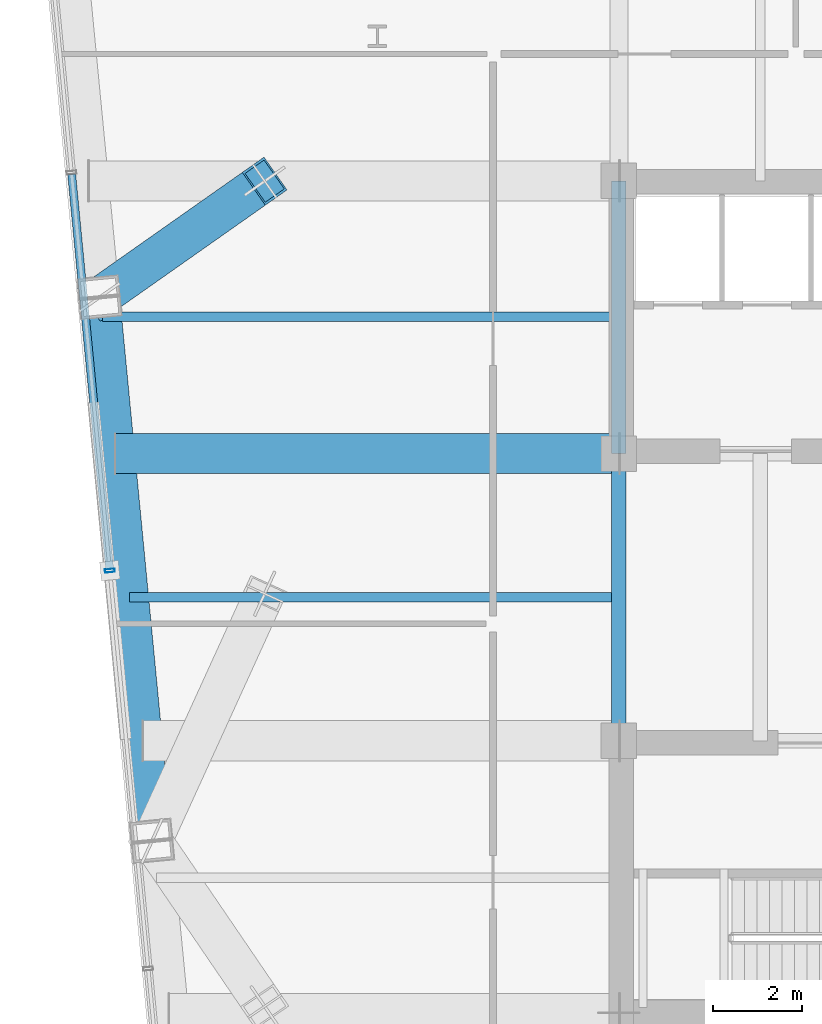
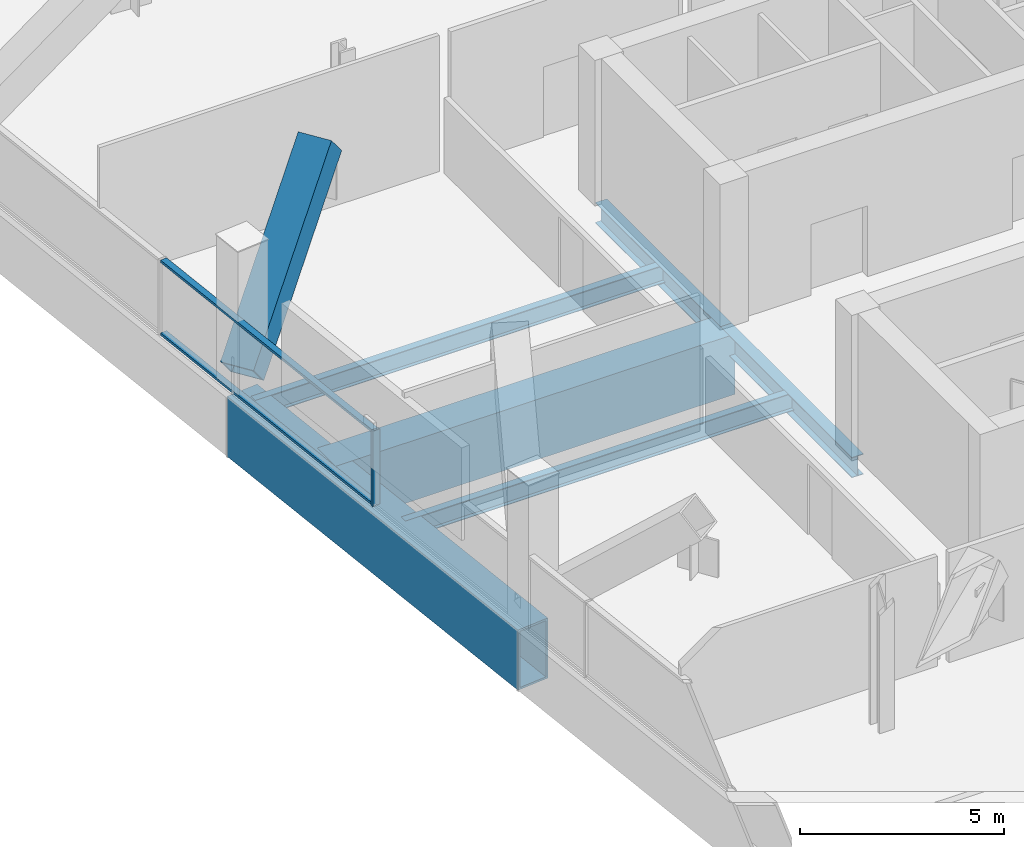
# One storey, part 7 of 30: 6 beams, 4 members, 1 element without a shape of its own.
"""IFC4 building model written with IfcOpenShell, lengths in metres."""

from ifc_helpers import new_model, si_unit, direction, frame, origin, origin_2d, place, context, subcontext, project, spatial, hollow_rectangle, i_section, extrude, material, layer, layer_set, material_profile, profile_set, type_object, element, aggregate, save


model = new_model("IFC4")

# Units and contexts
model_context = context("Model", 3, precision=1e-05, world=origin(), true_north=direction((0.0, 1.0)))
body_context = subcontext(model_context, "Body", "Model", "MODEL_VIEW")
ifc_project = project(units=[si_unit("LENGTHUNIT", "METRE"), si_unit("AREAUNIT", "SQUARE_METRE"), si_unit("VOLUMEUNIT", "CUBIC_METRE"), si_unit("PLANEANGLEUNIT", "RADIAN"), si_unit("MASSUNIT", "GRAM", prefix="KILO")], contexts=[model_context])

# Site, building, storey
site_placement = place(None, origin())
site = spatial("IfcSite", under=ifc_project, at=site_placement, CompositionType="ELEMENT")
building_placement = place(site_placement, origin())
building = spatial("IfcBuilding", under=site, at=building_placement, Name="Qhalaya Broadcast Tower", CompositionType="ELEMENT")
storey_placement = place(building_placement, frame((0.0, 0.0, 96.89990234375)))
storey = spatial("IfcBuildingStorey", under=building, at=storey_placement, Name="L28", CompositionType="ELEMENT", Elevation=96.89990234375)

# Beams
ifc_material_1 = material(Name="Structural Steel ASTM A572 Grade 50", Category="steel")
ifc_material_profile_1 = material_profile(ifc_material_1, hollow_rectangle(XDim=0.89990234375, YDim=1.800048828125, WallThickness=0.06005859375, at=origin_2d()), Name="BOX 900x1800x60")
ifc_profile_set_1 = profile_set([ifc_material_profile_1], Name="Structural Steel ASTM A572 Grade 50")
beam_type_1 = type_object("IfcBeamType", Name="Block Cantilever Transfer Box Girder TG1", PredefinedType="USERDEFINED", material=ifc_profile_set_1)
beam_1_placement = place(storey_placement, frame((-21.036865234375, 7.335205078125, -1.119873046875), z_axis=(0.095851586307, -0.99539563662, 0.0), x_axis=(0.99539563662, 0.095851586307, 0.0)))
element("IfcBeam", 1, at=beam_1_placement, inside=storey, type_object=beam_type_1, Name="L28 TG1 L28-SPR-14", ObjectType="GIRDER", PredefinedType="USERDEFINED", context=body_context, shape_type="SweptSolid", body=[
    extrude(hollow_rectangle(XDim=0.89990234375, YDim=1.800048828125, WallThickness=0.06005859375, at=origin_2d()), origin(), (0.0, 0.0, 1.0), 12.2666015625),
])
beam_2_placement = place(storey_placement, frame((-20.6787109375, 3.824951171875, -1.119873046875), z_axis=(1.0, 0.0, 0.0), x_axis=(0.0, 1.0, 0.0)))
element("IfcBeam", 2, at=beam_2_placement, inside=storey, type_object=beam_type_1, Name="L28 TG1 L28-PGYW3-1", ObjectType="GIRDER", PredefinedType="USERDEFINED", context=body_context, shape_type="SweptSolid", body=[
    extrude(hollow_rectangle(XDim=0.89990234375, YDim=1.800048828125, WallThickness=0.06005859375, at=origin_2d()), origin(), (0.0, 0.0, 1.0), 11.3037109375),
])
ifc_material_2 = material(Name="Structural Steel ASTM A992 Grade 50", Category="steel")
ifc_material_profile_2 = material_profile(ifc_material_2, i_section(OverallWidth=0.2099609375, OverallDepth=0.535888671875, WebThickness=0.010986328125, FlangeThickness=0.017333984375, at=origin_2d()), Name="W21X68")
ifc_profile_set_2 = profile_set([ifc_material_profile_2], Name="Structural Steel ASTM A992 Grade 50")
beam_type_2 = type_object("IfcBeamType", Name="Composite Floor Joist J02", PredefinedType="JOIST", material=ifc_profile_set_2)
beam_3_placement = place(storey_placement, frame((-20.368408203125, 0.60009765625, -0.48779296875), z_axis=(1.0, 0.0, 0.0), x_axis=(0.0, 1.0, 0.0)))
element("IfcBeam", 3, at=beam_3_placement, inside=storey, type_object=beam_type_2, Name="L28 J02 L28-JWE4W-1", PredefinedType="JOIST", context=body_context, shape_type="SweptSolid", body=[
    extrude(i_section(OverallWidth=0.2099609375, OverallDepth=0.535888671875, WebThickness=0.010986328125, FlangeThickness=0.017333984375, at=origin_2d()), origin(), (0.0, 0.0, 1.0), 10.993408203125),
])
beam_4_placement = place(storey_placement, frame((-20.974853515625, 6.89990234375, -0.48779296875), z_axis=(1.0, 0.0, 0.0), x_axis=(0.0, 1.0, 0.0)))
element("IfcBeam", 4, at=beam_4_placement, inside=storey, type_object=beam_type_2, Name="L28 J02 L28-JWE5W-1", PredefinedType="JOIST", context=body_context, shape_type="SweptSolid", body=[
    extrude(i_section(OverallWidth=0.2099609375, OverallDepth=0.535888671875, WebThickness=0.010986328125, FlangeThickness=0.017333984375, at=origin_2d()), origin(), (0.0, 0.0, 1.0), 11.599853515625),
])
ifc_material_profile_3 = material_profile(ifc_material_2, i_section(OverallWidth=0.323974609375, OverallDepth=0.612060546875, WebThickness=0.0126953125, FlangeThickness=0.01904296875, at=origin_2d()), Name="W24X104")
ifc_profile_set_3 = profile_set([ifc_material_profile_3], Name="Structural Steel ASTM A992 Grade 50")
beam_type_3 = type_object("IfcBeamType", Name="Core Frame Tie Beam B04", PredefinedType="BEAM", material=ifc_profile_set_3)
beam_5_placement = place(storey_placement, frame((-9.375, 3.824951171875, -0.52587890625), z_axis=(0.0, 1.0, 0.0), x_axis=(-1.0, 0.0, 0.0)))
element("IfcBeam", 5, at=beam_5_placement, inside=storey, type_object=beam_type_3, Name="L28 B04 L28-CCN2", PredefinedType="BEAM", context=body_context, shape_type="SweptSolid", body=[
    extrude(i_section(OverallWidth=0.323974609375, OverallDepth=0.612060546875, WebThickness=0.0126953125, FlangeThickness=0.01904296875, at=origin_2d()), origin(), (0.0, 0.0, 1.0), 6.125),
])
beam_6_placement = place(storey_placement, frame((-9.375, -2.625, -0.52587890625), z_axis=(0.0, 1.0, 0.0), x_axis=(-1.0, 0.0, 0.0)))
element("IfcBeam", 6, at=beam_6_placement, inside=storey, type_object=beam_type_3, Name="L28 B04 L28-CCW", PredefinedType="BEAM", context=body_context, shape_type="SweptSolid", body=[
    extrude(i_section(OverallWidth=0.323974609375, OverallDepth=0.612060546875, WebThickness=0.0126953125, FlangeThickness=0.01904296875, at=origin_2d()), origin(), (0.0, 0.0, 1.0), 6.449951171875),
])

# Member
ifc_material_profile_4 = material_profile(ifc_material_1, hollow_rectangle(XDim=0.89990234375, YDim=0.89990234375, WallThickness=0.054931640625, at=origin_2d()), Name="BOX 900x900x55")
ifc_profile_set_4 = profile_set([ifc_material_profile_4], Name="Structural Steel ASTM A572 Grade 50")
member_type_1 = type_object("IfcMemberType", Name="Heavy Exoskeleton Transfer Strut RK1", PredefinedType="BRACE", material=ifc_profile_set_4)
member_1_placement = place(storey_placement, frame((-21.036865234375, 7.335205078125, 0.347412109375), z_axis=(0.61301262863, 0.431325423938, 0.661947049094), x_axis=(-0.575445370973, 0.817840219741, 0.0)))
element("IfcMember", 7, at=member_1_placement, inside=storey, type_object=member_type_1, Name="L28 Inclined Exoskeleton Transfer Strut 14", PredefinedType="BRACE", context=body_context, shape_type="SweptSolid", body=[
    extrude(hollow_rectangle(XDim=0.89990234375, YDim=0.89990234375, WallThickness=0.054931640625, at=origin_2d()), origin(), (0.0, 0.0, 1.0), 6.046875),
])

# Curtain wall, members
ifc_material_3 = material(Name="Fired Architectural Terracotta", Category="masonry")
ifc_layer = layer(ifc_material_3, 0.219970703125, Name="Fired Architectural Terracotta")
ifc_layer_set = layer_set([ifc_layer], Name="Fired Architectural Terracotta")
curtain_wall_type = type_object("IfcCurtainWallType", Name="Block-Cap Unitised Terracotta Spandrel Wall CW-07", PredefinedType="NOTDEFINED", material=ifc_layer_set)
curtain_wall_placement = place(storey_placement, origin())
curtain_wall = element("IfcCurtainWall", 8, at=curtain_wall_placement, inside=storey, type_object=curtain_wall_type, Name="L28 Unitised Curtain Wall L28-CW-W", PredefinedType="NOTDEFINED")
ifc_material_4 = material(Name="Anodised Aluminium 6063-T6", Category="aluminium")
ifc_material_profile_5 = material_profile(ifc_material_4, hollow_rectangle(XDim=0.074951171875, YDim=0.219970703125, WallThickness=0.00390625, at=origin_2d()), Name="ALU-MUL 75x220x4")
ifc_profile_set_5 = profile_set([ifc_material_profile_5], Name="Anodised Aluminium 6063-T6")
member_type_2 = type_object("IfcMemberType", Name="Unitised Curtain-Wall Mullion M01", PredefinedType="MULLION", material=ifc_profile_set_5)
member_2_placement = place(storey_placement, frame((-20.807373046875, 1.195556640625, 0.0), z_axis=(0.0, 0.0, 1.0), x_axis=(-0.095846812756, 0.995396096278, 0.0)))
member_2 = element("IfcMember", 9, at=member_2_placement, type_object=member_type_2, Name="CW-07 mullion 3", PredefinedType="MULLION", context=body_context, shape_type="SweptSolid", body=[
    extrude(hollow_rectangle(XDim=0.074951171875, YDim=0.219970703125, WallThickness=0.00390625, at=origin_2d()), origin(), (0.0, 0.0, 1.0), 2.25),
])
ifc_material_profile_6 = material_profile(ifc_material_4, hollow_rectangle(XDim=0.074951171875, YDim=0.179931640625, WallThickness=0.00390625, at=origin_2d()), Name="ALU-TRN 75x180x4")
ifc_profile_set_6 = profile_set([ifc_material_profile_6], Name="Anodised Aluminium 6063-T6")
member_type_3 = type_object("IfcMemberType", Name="Unitised Curtain-Wall Transom T01", PredefinedType="USERDEFINED", material=ifc_profile_set_6)
member_3_placement = place(storey_placement, frame((-20.81103515625, 1.23291015625, 0.03759765625), z_axis=(-0.095836201822, 0.995397117949, 0.0), x_axis=(0.0, 0.0, 1.0)))
member_3 = element("IfcMember", 10, at=member_3_placement, type_object=member_type_3, Name="CW-07 transom 3.1", ObjectType="TRANSOM", PredefinedType="USERDEFINED", context=body_context, shape_type="SweptSolid", body=[
    extrude(hollow_rectangle(XDim=0.074951171875, YDim=0.179931640625, WallThickness=0.00390625, at=origin_2d()), origin(), (0.0, 0.0, 1.0), 8.906005859375),
])
member_4_placement = place(storey_placement, frame((-20.81103515625, 1.23291015625, 2.212646484375), z_axis=(-0.095836201822, 0.995397117949, 0.0), x_axis=(0.0, 0.0, 1.0)))
member_4 = element("IfcMember", 11, at=member_4_placement, type_object=member_type_3, Name="CW-07 transom 3.2", ObjectType="TRANSOM", PredefinedType="USERDEFINED", context=body_context, shape_type="SweptSolid", body=[
    extrude(hollow_rectangle(XDim=0.074951171875, YDim=0.179931640625, WallThickness=0.00390625, at=origin_2d()), origin(), (0.0, 0.0, 1.0), 8.906005859375),
])
aggregate(curtain_wall, [member_2, member_3, member_4])

save(model, "model.ifc")
